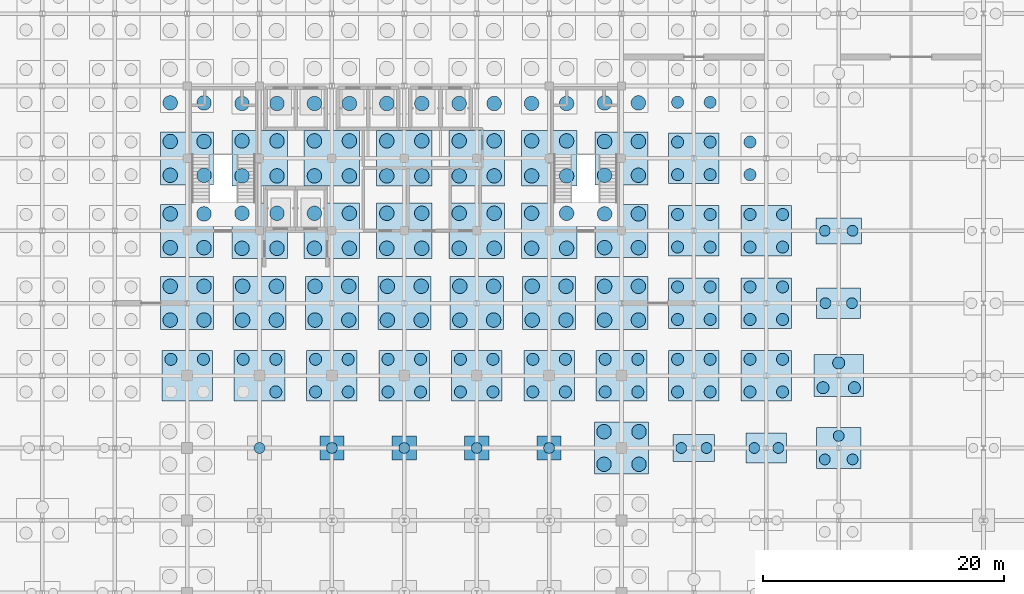
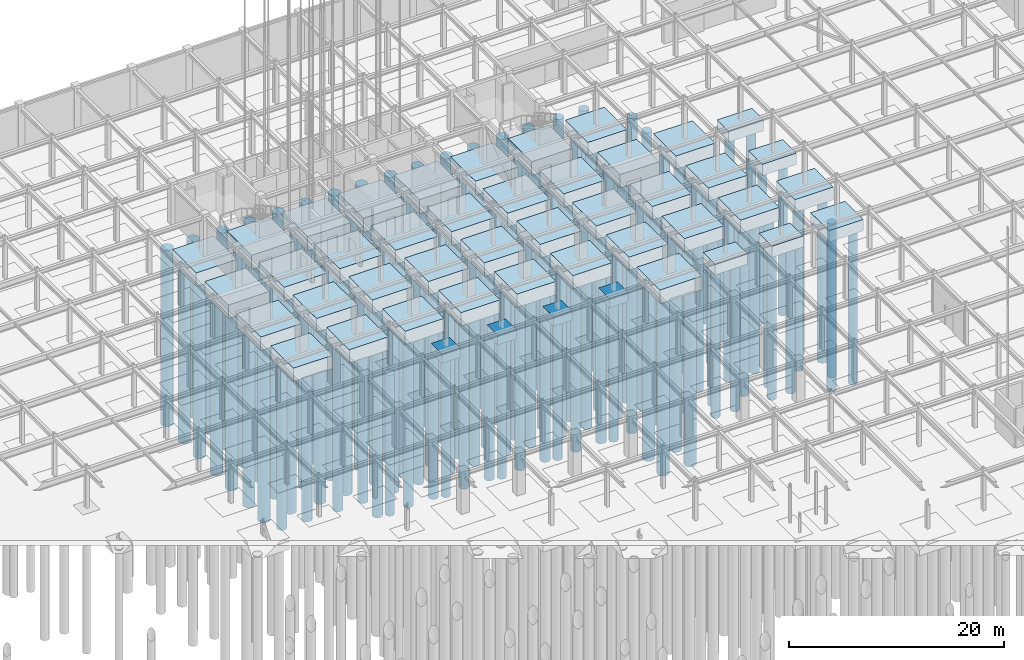
# One storey, part 7 of 69: 178 piles, 46 footings.
"""IFC4 building model written with IfcOpenShell, lengths in metres."""

from ifc_helpers import new_model, si_unit, direction, frame, origin, origin_2d, place, context, subcontext, project, spatial, rectangle, circle, extrude, material, material_profile, profile_set, type_object, element, save


model = new_model("IFC4")

# Units and contexts
model_context = context("Model", 3, precision=1e-05, world=origin(), true_north=direction((0.0, 1.0)))
body_context = subcontext(model_context, "Body", "Model", "MODEL_VIEW")
ifc_project = project(units=[si_unit("LENGTHUNIT", "METRE"), si_unit("AREAUNIT", "SQUARE_METRE"), si_unit("VOLUMEUNIT", "CUBIC_METRE"), si_unit("PLANEANGLEUNIT", "RADIAN"), si_unit("MASSUNIT", "GRAM", prefix="KILO")], contexts=[model_context])

# Site, building, storey
site_placement = place(None, origin())
site = spatial("IfcSite", under=ifc_project, at=site_placement, CompositionType="ELEMENT")
building_placement = place(site_placement, origin())
building = spatial("IfcBuilding", under=site, at=building_placement, Name="Zlatovratsky Civic Hall", CompositionType="ELEMENT")
storey_placement = place(building_placement, frame((0.0, 0.0, -4.800048828125)))
storey = spatial("IfcBuildingStorey", under=building, at=storey_placement, Name="B1", CompositionType="ELEMENT", Elevation=-4.800048828125)

# Footings
ifc_material = material(Name="Concrete C25/30 (B30)", Category="concrete")
footing_type_1 = type_object("IfcFootingType", Name="Footing_Cap1_ChamberUnder_2000x2000x1050", PredefinedType="PILE_CAP", material=ifc_material)
for number, where, z_axis, x_axis, name in (
    (1, (78.0, 66.0, -1.0498046875), (0.0, 0.0, 1.0), (1.0, 0.0, 0.0), "FD-218"),
    (2, (84.0, 66.0, -1.0498046875), (0.0, 0.0, 1.0), (1.0, 0.0, 0.0), "FD-219"),
    (3, (90.0, 66.0, -1.0498046875), (0.0, 0.0, 1.0), (1.0, 0.0, 0.0), "FD-220"),
    (4, (96.0, 66.0, -1.0498046875), (0.0, 0.0, 1.0), (1.0, 0.0, 0.0), "FD-221"),
):
    element("IfcFooting", number, at=place(storey_placement, frame(where, z_axis=z_axis, x_axis=x_axis)), inside=storey, type_object=footing_type_1, Name=name, PredefinedType="PILE_CAP", context=body_context, shape_type="SweptSolid", body=[
        extrude(rectangle(XDim=2.0, YDim=2.0, at=origin_2d()), origin(), (0.0, 0.0, 1.0), 1.050048828125),
    ])
footing_type_2 = type_object("IfcFootingType", Name="Footing_Cap2_LibraryE_3650x2550x1300", PredefinedType="PILE_CAP", material=ifc_material)
footing_1_placement = place(storey_placement, frame((120.0, 78.0, -1.2998046875), z_axis=(0.0, 0.0, 1.0), x_axis=(1.0, 0.0, 0.0)))
element("IfcFooting", 5, at=footing_1_placement, inside=storey, type_object=footing_type_2, Name="FD-271", PredefinedType="PILE_CAP", context=body_context, shape_type="SweptSolid", body=[
    extrude(rectangle(XDim=3.64990234375, YDim=2.550048828125, at=origin_2d()), origin(), (0.0, 0.0, 1.0), 1.300048828125),
])
footing_type_3 = type_object("IfcFootingType", Name="Footing_Cap2_PlantB1_3350x2450x1250", PredefinedType="PILE_CAP", material=ifc_material)
footing_2_placement = place(storey_placement, frame((114.0, 66.0, -1.25), z_axis=(0.0, 0.0, 1.0), x_axis=(1.0, 0.0, 0.0)))
element("IfcFooting", 6, at=footing_2_placement, inside=storey, type_object=footing_type_3, Name="FD-224", PredefinedType="PILE_CAP", context=body_context, shape_type="SweptSolid", body=[
    extrude(rectangle(XDim=3.35009765625, YDim=2.449951171875, at=origin_2d()), origin(), (0.0, 0.0, 1.0), 1.25),
])
footing_type_4 = type_object("IfcFootingType", Name="Footing_Cap2_ReceptionW_3450x2250x1200", PredefinedType="PILE_CAP", material=ifc_material)
footing_3_placement = place(storey_placement, frame((108.0, 66.0, -1.19970703125), z_axis=(0.0, 0.0, 1.0), x_axis=(1.0, 0.0, 0.0)))
element("IfcFooting", 7, at=footing_3_placement, inside=storey, type_object=footing_type_4, Name="FD-223", PredefinedType="PILE_CAP", context=body_context, shape_type="SweptSolid", body=[
    extrude(rectangle(XDim=3.449951171875, YDim=2.25, at=origin_2d()), origin(), (0.0, 0.0, 1.0), 1.199951171875),
])
footing_type_5 = type_object("IfcFootingType", Name="Footing_Cap2_ServiceE_3750x2150x1250", PredefinedType="PILE_CAP", material=ifc_material)
footing_4_placement = place(storey_placement, frame((120.0, 84.0, -1.25), z_axis=(0.0, 0.0, 1.0), x_axis=(1.0, 0.0, 0.0)))
element("IfcFooting", 8, at=footing_4_placement, inside=storey, type_object=footing_type_5, Name="FD-294", PredefinedType="PILE_CAP", context=body_context, shape_type="SweptSolid", body=[
    extrude(rectangle(XDim=3.75, YDim=2.14990234375, at=origin_2d()), origin(), (0.0, 0.0, 1.0), 1.25),
])
footing_type_6 = type_object("IfcFootingType", Name="Footing_Cap3_CourtEdge_3700x3400x1300", PredefinedType="PILE_CAP", material=ifc_material)
footing_5_placement = place(storey_placement, frame((120.0, 66.0, -1.2998046875), z_axis=(0.0, 0.0, 1.0), x_axis=(1.0, 0.0, 0.0)))
element("IfcFooting", 9, at=footing_5_placement, inside=storey, type_object=footing_type_6, Name="FD-225", PredefinedType="PILE_CAP", context=body_context, shape_type="SweptSolid", body=[
    extrude(rectangle(XDim=3.699951171875, YDim=3.39990234375, at=origin_2d()), origin(), (0.0, 0.0, 1.0), 1.300048828125),
])
footing_type_7 = type_object("IfcFootingType", Name="Footing_Cap3_TowerFlank_4100x3500x1450", PredefinedType="PILE_CAP", material=ifc_material)
footing_6_placement = place(storey_placement, frame((120.0, 72.0, -1.44970703125), z_axis=(0.0, 0.0, 1.0), x_axis=(1.0, 0.0, 0.0)))
element("IfcFooting", 10, at=footing_6_placement, inside=storey, type_object=footing_type_7, Name="FD-248", PredefinedType="PILE_CAP", context=body_context, shape_type="SweptSolid", body=[
    extrude(rectangle(XDim=4.10009765625, YDim=3.5, at=origin_2d()), origin(), (0.0, 0.0, 1.0), 1.449951171875),
])
footing_type_8 = type_object("IfcFootingType", Name="Footing_Cap4_ChamberDrum_4500x4300x1550", PredefinedType="PILE_CAP", material=ifc_material)
footing_7_placement = place(storey_placement, frame((102.0, 66.0, -1.5498046875), z_axis=(0.0, 0.0, 1.0), x_axis=(1.0, 0.0, 0.0)))
element("IfcFooting", 11, at=footing_7_placement, inside=storey, type_object=footing_type_8, Name="FD-222", PredefinedType="PILE_CAP", context=body_context, shape_type="SweptSolid", body=[
    extrude(rectangle(XDim=4.5, YDim=4.300048828125, at=origin_2d()), origin(), (0.0, 0.0, 1.0), 1.550048828125),
])
footing_type_9 = type_object("IfcFootingType", Name="Footing_Cap4_TowerCore_4600x4600x1600", PredefinedType="PILE_CAP", material=ifc_material)
for number, where, z_axis, x_axis, name in (
    (12, (72.0, 84.0, -1.60009765625), (0.0, 0.0, 1.0), (1.0, 0.0, 0.0), "FD-286"),
    (13, (78.0, 84.0, -1.60009765625), (0.0, 0.0, 1.0), (1.0, 0.0, 0.0), "FD-287"),
    (14, (84.0, 84.0, -1.60009765625), (0.0, 0.0, 1.0), (1.0, 0.0, 0.0), "FD-288"),
    (15, (90.0, 84.0, -1.60009765625), (0.0, 0.0, 1.0), (1.0, 0.0, 0.0), "FD-289"),
    (16, (96.0, 84.0, -1.60009765625), (0.0, 0.0, 1.0), (1.0, 0.0, 0.0), "FD-290"),
    (17, (72.0, 90.0, -1.60009765625), (0.0, 0.0, 1.0), (1.0, 0.0, 0.0), "FD-309"),
    (18, (78.0, 90.0, -1.60009765625), (0.0, 0.0, 1.0), (1.0, 0.0, 0.0), "FD-310"),
    (19, (84.0, 90.0, -1.60009765625), (0.0, 0.0, 1.0), (1.0, 0.0, 0.0), "FD-311"),
    (20, (90.0, 90.0, -1.60009765625), (0.0, 0.0, 1.0), (1.0, 0.0, 0.0), "FD-312"),
    (21, (96.0, 90.0, -1.60009765625), (0.0, 0.0, 1.0), (1.0, 0.0, 0.0), "FD-313"),
):
    element("IfcFooting", number, at=place(storey_placement, frame(where, z_axis=z_axis, x_axis=x_axis)), inside=storey, type_object=footing_type_9, Name=name, PredefinedType="PILE_CAP", context=body_context, shape_type="SweptSolid", body=[
        extrude(rectangle(XDim=4.60009765625, YDim=4.60009765625, at=origin_2d()), origin(), (0.0, 0.0, 1.0), 1.60009765625),
    ])
footing_type_10 = type_object("IfcFootingType", Name="Footing_Cap4_TowerHeavy_4400x4400x1550", PredefinedType="PILE_CAP", material=ifc_material)
for number, where, z_axis, x_axis, name in (
    (22, (66.0, 78.0, -1.5498046875), (0.0, 0.0, 1.0), (1.0, 0.0, 0.0), "FD-262"),
    (23, (72.0, 78.0, -1.5498046875), (0.0, 0.0, 1.0), (1.0, 0.0, 0.0), "FD-263"),
    (24, (78.0, 78.0, -1.5498046875), (0.0, 0.0, 1.0), (1.0, 0.0, 0.0), "FD-264"),
    (25, (84.0, 78.0, -1.5498046875), (0.0, 0.0, 1.0), (1.0, 0.0, 0.0), "FD-265"),
    (26, (90.0, 78.0, -1.5498046875), (0.0, 0.0, 1.0), (1.0, 0.0, 0.0), "FD-266"),
    (27, (96.0, 78.0, -1.5498046875), (0.0, 0.0, 1.0), (1.0, 0.0, 0.0), "FD-267"),
    (28, (102.0, 78.0, -1.5498046875), (0.0, 0.0, 1.0), (1.0, 0.0, 0.0), "FD-268"),
    (29, (66.0, 84.0, -1.5498046875), (0.0, 0.0, 1.0), (1.0, 0.0, 0.0), "FD-285"),
    (30, (102.0, 84.0, -1.5498046875), (0.0, 0.0, 1.0), (1.0, 0.0, 0.0), "FD-291"),
    (31, (66.0, 90.0, -1.5498046875), (0.0, 0.0, 1.0), (1.0, 0.0, 0.0), "FD-308"),
    (32, (102.0, 90.0, -1.5498046875), (0.0, 0.0, 1.0), (1.0, 0.0, 0.0), "FD-314"),
):
    element("IfcFooting", number, at=place(storey_placement, frame(where, z_axis=z_axis, x_axis=x_axis)), inside=storey, type_object=footing_type_10, Name=name, PredefinedType="PILE_CAP", context=body_context, shape_type="SweptSolid", body=[
        extrude(rectangle(XDim=4.39990234375, YDim=4.39990234375, at=origin_2d()), origin(), (0.0, 0.0, 1.0), 1.550048828125),
    ])
footing_type_11 = type_object("IfcFootingType", Name="Footing_Cap4_TowerMid_4200x4200x1500", PredefinedType="PILE_CAP", material=ifc_material)
for number, where, z_axis, x_axis, name in (
    (33, (66.0, 72.0, -1.5), (0.0, 0.0, 1.0), (1.0, 0.0, 0.0), "FD-239"),
    (34, (72.0, 72.0, -1.5), (0.0, 0.0, 1.0), (1.0, 0.0, 0.0), "FD-240"),
    (35, (78.0, 72.0, -1.5), (0.0, 0.0, 1.0), (1.0, 0.0, 0.0), "FD-241"),
    (36, (84.0, 72.0, -1.5), (0.0, 0.0, 1.0), (1.0, 0.0, 0.0), "FD-242"),
    (37, (90.0, 72.0, -1.5), (0.0, 0.0, 1.0), (1.0, 0.0, 0.0), "FD-243"),
    (38, (96.0, 72.0, -1.5), (0.0, 0.0, 1.0), (1.0, 0.0, 0.0), "FD-244"),
    (39, (102.0, 72.0, -1.5), (0.0, 0.0, 1.0), (1.0, 0.0, 0.0), "FD-245"),
    (40, (108.0, 72.0, -1.5), (0.0, 0.0, 1.0), (1.0, 0.0, 0.0), "FD-246"),
    (41, (114.0, 72.0, -1.5), (0.0, 0.0, 1.0), (1.0, 0.0, 0.0), "FD-247"),
    (42, (108.0, 78.0, -1.5), (0.0, 0.0, 1.0), (1.0, 0.0, 0.0), "FD-269"),
    (43, (114.0, 78.0, -1.5), (0.0, 0.0, 1.0), (1.0, 0.0, 0.0), "FD-270"),
    (44, (108.0, 84.0, -1.5), (0.0, 0.0, 1.0), (1.0, 0.0, 0.0), "FD-292"),
    (45, (114.0, 84.0, -1.5), (0.0, 0.0, 1.0), (1.0, 0.0, 0.0), "FD-293"),
    (46, (108.0, 90.0, -1.5), (0.0, 0.0, 1.0), (1.0, 0.0, 0.0), "FD-315"),
):
    element("IfcFooting", number, at=place(storey_placement, frame(where, z_axis=z_axis, x_axis=x_axis)), inside=storey, type_object=footing_type_11, Name=name, PredefinedType="PILE_CAP", context=body_context, shape_type="SweptSolid", body=[
        extrude(rectangle(XDim=4.199951171875, YDim=4.199951171875, at=origin_2d()), origin(), (0.0, 0.0, 1.0), 1.5),
    ])

# Piles
ifc_material_profile_1 = material_profile(ifc_material, circle(Radius=0.5, at=origin_2d()), Name="PILE D1000")
ifc_profile_set_1 = profile_set([ifc_material_profile_1], Name="Concrete C25/30 (B30)")
pile_type_1 = type_object("IfcPileType", Name="Pile_Bored_D1000", PredefinedType="BORED", material=ifc_profile_set_1)
for number, where, z_axis, x_axis, name in (
    (47, (64.64990234375, 73.35009765625, -1.39990234375), (0.0, 0.0, -1.0), (1.0, 0.0, 0.0), "PL-0590"),
    (48, (67.35009765625, 73.35009765625, -1.39990234375), (0.0, 0.0, -1.0), (1.0, 0.0, 0.0), "PL-0591"),
    (49, (73.35009765625, 70.64990234375, -1.39990234375), (0.0, 0.0, -1.0), (1.0, 0.0, 0.0), "PL-0593"),
    (50, (70.64990234375, 73.35009765625, -1.39990234375), (0.0, 0.0, -1.0), (1.0, 0.0, 0.0), "PL-0594"),
    (51, (73.35009765625, 73.35009765625, -1.39990234375), (0.0, 0.0, -1.0), (1.0, 0.0, 0.0), "PL-0595"),
    (52, (76.64990234375, 70.64990234375, -1.39990234375), (0.0, 0.0, -1.0), (1.0, 0.0, 0.0), "PL-0596"),
    (53, (79.35009765625, 70.64990234375, -1.39990234375), (0.0, 0.0, -1.0), (1.0, 0.0, 0.0), "PL-0597"),
    (54, (76.64990234375, 73.35009765625, -1.39990234375), (0.0, 0.0, -1.0), (1.0, 0.0, 0.0), "PL-0598"),
    (55, (79.35009765625, 73.35009765625, -1.39990234375), (0.0, 0.0, -1.0), (1.0, 0.0, 0.0), "PL-0599"),
    (56, (82.64990234375, 70.64990234375, -1.39990234375), (0.0, 0.0, -1.0), (1.0, 0.0, 0.0), "PL-0600"),
    (57, (85.35009765625, 70.64990234375, -1.39990234375), (0.0, 0.0, -1.0), (1.0, 0.0, 0.0), "PL-0601"),
    (58, (82.64990234375, 73.35009765625, -1.39990234375), (0.0, 0.0, -1.0), (1.0, 0.0, 0.0), "PL-0602"),
    (59, (85.35009765625, 73.35009765625, -1.39990234375), (0.0, 0.0, -1.0), (1.0, 0.0, 0.0), "PL-0603"),
    (60, (88.64990234375, 70.64990234375, -1.39990234375), (0.0, 0.0, -1.0), (1.0, 0.0, 0.0), "PL-0604"),
    (61, (91.35009765625, 70.64990234375, -1.39990234375), (0.0, 0.0, -1.0), (1.0, 0.0, 0.0), "PL-0605"),
    (62, (88.64990234375, 73.35009765625, -1.39990234375), (0.0, 0.0, -1.0), (1.0, 0.0, 0.0), "PL-0606"),
    (63, (91.35009765625, 73.35009765625, -1.39990234375), (0.0, 0.0, -1.0), (1.0, 0.0, 0.0), "PL-0607"),
    (64, (94.64990234375, 70.64990234375, -1.39990234375), (0.0, 0.0, -1.0), (1.0, 0.0, 0.0), "PL-0608"),
    (65, (97.35009765625, 70.64990234375, -1.39990234375), (0.0, 0.0, -1.0), (1.0, 0.0, 0.0), "PL-0609"),
    (66, (94.64990234375, 73.35009765625, -1.39990234375), (0.0, 0.0, -1.0), (1.0, 0.0, 0.0), "PL-0610"),
    (67, (97.35009765625, 73.35009765625, -1.39990234375), (0.0, 0.0, -1.0), (1.0, 0.0, 0.0), "PL-0611"),
    (68, (100.64990234375, 70.64990234375, -1.39990234375), (0.0, 0.0, -1.0), (1.0, 0.0, 0.0), "PL-0612"),
    (69, (103.35009765625, 70.64990234375, -1.39990234375), (0.0, 0.0, -1.0), (1.0, 0.0, 0.0), "PL-0613"),
    (70, (100.64990234375, 73.35009765625, -1.39990234375), (0.0, 0.0, -1.0), (1.0, 0.0, 0.0), "PL-0614"),
    (71, (103.35009765625, 73.35009765625, -1.39990234375), (0.0, 0.0, -1.0), (1.0, 0.0, 0.0), "PL-0615"),
    (72, (106.64990234375, 70.64990234375, -1.39990234375), (0.0, 0.0, -1.0), (1.0, 0.0, 0.0), "PL-0616"),
    (73, (109.35009765625, 70.64990234375, -1.39990234375), (0.0, 0.0, -1.0), (1.0, 0.0, 0.0), "PL-0617"),
    (74, (106.64990234375, 73.35009765625, -1.39990234375), (0.0, 0.0, -1.0), (1.0, 0.0, 0.0), "PL-0618"),
    (75, (109.35009765625, 73.35009765625, -1.39990234375), (0.0, 0.0, -1.0), (1.0, 0.0, 0.0), "PL-0619"),
    (76, (112.64990234375, 70.64990234375, -1.39990234375), (0.0, 0.0, -1.0), (1.0, 0.0, 0.0), "PL-0620"),
    (77, (115.35009765625, 70.64990234375, -1.39990234375), (0.0, 0.0, -1.0), (1.0, 0.0, 0.0), "PL-0621"),
    (78, (112.64990234375, 73.35009765625, -1.39990234375), (0.0, 0.0, -1.0), (1.0, 0.0, 0.0), "PL-0622"),
    (79, (115.35009765625, 73.35009765625, -1.39990234375), (0.0, 0.0, -1.0), (1.0, 0.0, 0.0), "PL-0623"),
):
    element("IfcPile", number, at=place(storey_placement, frame(where, z_axis=z_axis, x_axis=x_axis)), inside=storey, type_object=pile_type_1, Name=name, PredefinedType="BORED", context=body_context, shape_type="SweptSolid", body=[
        extrude(circle(Radius=0.5, at=origin_2d()), origin(), (0.0, 0.0, 1.0), 19.0),
    ])
for number, where, z_axis, x_axis, name in (
    (80, (118.699951171875, 71.0, -1.349853515625), (0.0, 0.0, -1.0), (1.0, 0.0, 0.0), "PL-0624"),
    (81, (121.300048828125, 71.0, -1.349853515625), (0.0, 0.0, -1.0), (1.0, 0.0, 0.0), "PL-0625"),
    (82, (120.0, 73.050048828125, -1.349853515625), (0.0, 0.0, -1.0), (1.0, 0.0, 0.0), "PL-0626"),
):
    element("IfcPile", number, at=place(storey_placement, frame(where, z_axis=z_axis, x_axis=x_axis)), inside=storey, type_object=pile_type_1, Name=name, PredefinedType="BORED", context=body_context, shape_type="SweptSolid", body=[
        extrude(circle(Radius=0.5, at=origin_2d()), origin(), (0.0, 0.0, 1.0), 18.5),
    ])
for number, where, z_axis, x_axis, name in (
    (83, (106.64990234375, 76.64990234375, -1.39990234375), (0.0, 0.0, -1.0), (1.0, 0.0, 0.0), "PL-0686"),
    (84, (109.35009765625, 76.64990234375, -1.39990234375), (0.0, 0.0, -1.0), (1.0, 0.0, 0.0), "PL-0687"),
    (85, (106.64990234375, 79.35009765625, -1.39990234375), (0.0, 0.0, -1.0), (1.0, 0.0, 0.0), "PL-0688"),
    (86, (109.35009765625, 79.35009765625, -1.39990234375), (0.0, 0.0, -1.0), (1.0, 0.0, 0.0), "PL-0689"),
    (87, (112.64990234375, 76.64990234375, -1.39990234375), (0.0, 0.0, -1.0), (1.0, 0.0, 0.0), "PL-0690"),
    (88, (115.35009765625, 76.64990234375, -1.39990234375), (0.0, 0.0, -1.0), (1.0, 0.0, 0.0), "PL-0691"),
    (89, (112.64990234375, 79.35009765625, -1.39990234375), (0.0, 0.0, -1.0), (1.0, 0.0, 0.0), "PL-0692"),
    (90, (115.35009765625, 79.35009765625, -1.39990234375), (0.0, 0.0, -1.0), (1.0, 0.0, 0.0), "PL-0693"),
    (91, (106.64990234375, 82.64990234375, -1.39990234375), (0.0, 0.0, -1.0), (1.0, 0.0, 0.0), "PL-0758"),
    (92, (109.35009765625, 82.64990234375, -1.39990234375), (0.0, 0.0, -1.0), (1.0, 0.0, 0.0), "PL-0759"),
    (93, (106.64990234375, 85.35009765625, -1.39990234375), (0.0, 0.0, -1.0), (1.0, 0.0, 0.0), "PL-0760"),
    (94, (109.35009765625, 85.35009765625, -1.39990234375), (0.0, 0.0, -1.0), (1.0, 0.0, 0.0), "PL-0761"),
    (95, (112.64990234375, 82.64990234375, -1.39990234375), (0.0, 0.0, -1.0), (1.0, 0.0, 0.0), "PL-0762"),
    (96, (115.35009765625, 82.64990234375, -1.39990234375), (0.0, 0.0, -1.0), (1.0, 0.0, 0.0), "PL-0763"),
    (97, (112.64990234375, 85.35009765625, -1.39990234375), (0.0, 0.0, -1.0), (1.0, 0.0, 0.0), "PL-0764"),
    (98, (115.35009765625, 85.35009765625, -1.39990234375), (0.0, 0.0, -1.0), (1.0, 0.0, 0.0), "PL-0765"),
    (99, (106.64990234375, 88.64990234375, -1.39990234375), (0.0, 0.0, -1.0), (1.0, 0.0, 0.0), "PL-0834"),
    (100, (109.35009765625, 88.64990234375, -1.39990234375), (0.0, 0.0, -1.0), (1.0, 0.0, 0.0), "PL-0835"),
    (101, (106.64990234375, 91.35009765625, -1.39990234375), (0.0, 0.0, -1.0), (1.0, 0.0, 0.0), "PL-0836"),
    (102, (109.35009765625, 91.35009765625, -1.39990234375), (0.0, 0.0, -1.0), (1.0, 0.0, 0.0), "PL-0837"),
    (103, (112.64990234375, 88.64990234375, -1.39990234375), (0.0, 0.0, -1.0), (1.0, 0.0, 0.0), "PL-0838"),
    (104, (112.64990234375, 91.35009765625, -1.39990234375), (0.0, 0.0, -1.0), (1.0, 0.0, 0.0), "PL-0840"),
    (105, (106.64990234375, 94.64990234375, -1.39990234375), (0.0, 0.0, -1.0), (1.0, 0.0, 0.0), "PL-0912"),
    (106, (109.35009765625, 94.64990234375, -1.39990234375), (0.0, 0.0, -1.0), (1.0, 0.0, 0.0), "PL-0913"),
):
    element("IfcPile", number, at=place(storey_placement, frame(where, z_axis=z_axis, x_axis=x_axis)), inside=storey, type_object=pile_type_1, Name=name, PredefinedType="BORED", context=body_context, shape_type="SweptSolid", body=[
        extrude(circle(Radius=0.5, at=origin_2d()), origin(), (0.0, 0.0, 1.0), 19.0),
    ])
ifc_material_profile_2 = material_profile(ifc_material, circle(Radius=0.60009765625, at=origin_2d()), Name="PILE D1200")
ifc_profile_set_2 = profile_set([ifc_material_profile_2], Name="Concrete C25/30 (B30)")
pile_type_2 = type_object("IfcPileType", Name="Pile_Bored_D1200", PredefinedType="BORED", material=ifc_profile_set_2)
for number, where, z_axis, x_axis, name in (
    (107, (100.550048828125, 64.64990234375, -1.449951171875), (0.0, 0.0, -1.0), (1.0, 0.0, 0.0), "PL-0543"),
    (108, (103.449951171875, 64.64990234375, -1.449951171875), (0.0, 0.0, -1.0), (1.0, 0.0, 0.0), "PL-0544"),
    (109, (100.550048828125, 67.35009765625, -1.449951171875), (0.0, 0.0, -1.0), (1.0, 0.0, 0.0), "PL-0545"),
    (110, (103.449951171875, 67.35009765625, -1.449951171875), (0.0, 0.0, -1.0), (1.0, 0.0, 0.0), "PL-0546"),
    (111, (64.60009765625, 76.60009765625, -1.449951171875), (0.0, 0.0, -1.0), (1.0, 0.0, 0.0), "PL-0658"),
    (112, (67.39990234375, 76.60009765625, -1.449951171875), (0.0, 0.0, -1.0), (1.0, 0.0, 0.0), "PL-0659"),
    (113, (64.60009765625, 79.39990234375, -1.449951171875), (0.0, 0.0, -1.0), (1.0, 0.0, 0.0), "PL-0660"),
    (114, (67.39990234375, 79.39990234375, -1.449951171875), (0.0, 0.0, -1.0), (1.0, 0.0, 0.0), "PL-0661"),
    (115, (70.60009765625, 76.60009765625, -1.449951171875), (0.0, 0.0, -1.0), (1.0, 0.0, 0.0), "PL-0662"),
    (116, (73.39990234375, 76.60009765625, -1.449951171875), (0.0, 0.0, -1.0), (1.0, 0.0, 0.0), "PL-0663"),
    (117, (70.60009765625, 79.39990234375, -1.449951171875), (0.0, 0.0, -1.0), (1.0, 0.0, 0.0), "PL-0664"),
    (118, (73.39990234375, 79.39990234375, -1.449951171875), (0.0, 0.0, -1.0), (1.0, 0.0, 0.0), "PL-0665"),
    (119, (76.60009765625, 76.60009765625, -1.449951171875), (0.0, 0.0, -1.0), (1.0, 0.0, 0.0), "PL-0666"),
    (120, (79.39990234375, 76.60009765625, -1.449951171875), (0.0, 0.0, -1.0), (1.0, 0.0, 0.0), "PL-0667"),
    (121, (76.60009765625, 79.39990234375, -1.449951171875), (0.0, 0.0, -1.0), (1.0, 0.0, 0.0), "PL-0668"),
    (122, (79.39990234375, 79.39990234375, -1.449951171875), (0.0, 0.0, -1.0), (1.0, 0.0, 0.0), "PL-0669"),
    (123, (82.60009765625, 76.60009765625, -1.449951171875), (0.0, 0.0, -1.0), (1.0, 0.0, 0.0), "PL-0670"),
    (124, (85.39990234375, 76.60009765625, -1.449951171875), (0.0, 0.0, -1.0), (1.0, 0.0, 0.0), "PL-0671"),
    (125, (82.60009765625, 79.39990234375, -1.449951171875), (0.0, 0.0, -1.0), (1.0, 0.0, 0.0), "PL-0672"),
    (126, (85.39990234375, 79.39990234375, -1.449951171875), (0.0, 0.0, -1.0), (1.0, 0.0, 0.0), "PL-0673"),
    (127, (88.60009765625, 76.60009765625, -1.449951171875), (0.0, 0.0, -1.0), (1.0, 0.0, 0.0), "PL-0674"),
    (128, (91.39990234375, 76.60009765625, -1.449951171875), (0.0, 0.0, -1.0), (1.0, 0.0, 0.0), "PL-0675"),
    (129, (88.60009765625, 79.39990234375, -1.449951171875), (0.0, 0.0, -1.0), (1.0, 0.0, 0.0), "PL-0676"),
    (130, (91.39990234375, 79.39990234375, -1.449951171875), (0.0, 0.0, -1.0), (1.0, 0.0, 0.0), "PL-0677"),
    (131, (94.60009765625, 76.60009765625, -1.449951171875), (0.0, 0.0, -1.0), (1.0, 0.0, 0.0), "PL-0678"),
    (132, (97.39990234375, 76.60009765625, -1.449951171875), (0.0, 0.0, -1.0), (1.0, 0.0, 0.0), "PL-0679"),
    (133, (94.60009765625, 79.39990234375, -1.449951171875), (0.0, 0.0, -1.0), (1.0, 0.0, 0.0), "PL-0680"),
    (134, (97.39990234375, 79.39990234375, -1.449951171875), (0.0, 0.0, -1.0), (1.0, 0.0, 0.0), "PL-0681"),
    (135, (100.60009765625, 76.60009765625, -1.449951171875), (0.0, 0.0, -1.0), (1.0, 0.0, 0.0), "PL-0682"),
    (136, (103.39990234375, 76.60009765625, -1.449951171875), (0.0, 0.0, -1.0), (1.0, 0.0, 0.0), "PL-0683"),
    (137, (100.60009765625, 79.39990234375, -1.449951171875), (0.0, 0.0, -1.0), (1.0, 0.0, 0.0), "PL-0684"),
    (138, (103.39990234375, 79.39990234375, -1.449951171875), (0.0, 0.0, -1.0), (1.0, 0.0, 0.0), "PL-0685"),
    (139, (64.60009765625, 82.60009765625, -1.449951171875), (0.0, 0.0, -1.0), (1.0, 0.0, 0.0), "PL-0730"),
    (140, (67.39990234375, 82.60009765625, -1.449951171875), (0.0, 0.0, -1.0), (1.0, 0.0, 0.0), "PL-0731"),
    (141, (64.60009765625, 85.39990234375, -1.449951171875), (0.0, 0.0, -1.0), (1.0, 0.0, 0.0), "PL-0732"),
    (142, (67.39990234375, 85.39990234375, -1.449951171875), (0.0, 0.0, -1.0), (1.0, 0.0, 0.0), "PL-0733"),
    (143, (70.550048828125, 82.550048828125, -1.5), (0.0, 0.0, -1.0), (1.0, 0.0, 0.0), "PL-0734"),
    (144, (73.449951171875, 82.550048828125, -1.5), (0.0, 0.0, -1.0), (1.0, 0.0, 0.0), "PL-0735"),
    (145, (70.550048828125, 85.449951171875, -1.5), (0.0, 0.0, -1.0), (1.0, 0.0, 0.0), "PL-0736"),
    (146, (73.449951171875, 85.449951171875, -1.5), (0.0, 0.0, -1.0), (1.0, 0.0, 0.0), "PL-0737"),
    (147, (76.550048828125, 82.550048828125, -1.5), (0.0, 0.0, -1.0), (1.0, 0.0, 0.0), "PL-0738"),
    (148, (79.449951171875, 82.550048828125, -1.5), (0.0, 0.0, -1.0), (1.0, 0.0, 0.0), "PL-0739"),
    (149, (76.550048828125, 85.449951171875, -1.5), (0.0, 0.0, -1.0), (1.0, 0.0, 0.0), "PL-0740"),
    (150, (79.449951171875, 85.449951171875, -1.5), (0.0, 0.0, -1.0), (1.0, 0.0, 0.0), "PL-0741"),
    (151, (82.550048828125, 82.550048828125, -1.5), (0.0, 0.0, -1.0), (1.0, 0.0, 0.0), "PL-0742"),
    (152, (85.449951171875, 82.550048828125, -1.5), (0.0, 0.0, -1.0), (1.0, 0.0, 0.0), "PL-0743"),
    (153, (82.550048828125, 85.449951171875, -1.5), (0.0, 0.0, -1.0), (1.0, 0.0, 0.0), "PL-0744"),
    (154, (85.449951171875, 85.449951171875, -1.5), (0.0, 0.0, -1.0), (1.0, 0.0, 0.0), "PL-0745"),
    (155, (88.550048828125, 82.550048828125, -1.5), (0.0, 0.0, -1.0), (1.0, 0.0, 0.0), "PL-0746"),
    (156, (91.449951171875, 82.550048828125, -1.5), (0.0, 0.0, -1.0), (1.0, 0.0, 0.0), "PL-0747"),
    (157, (88.550048828125, 85.449951171875, -1.5), (0.0, 0.0, -1.0), (1.0, 0.0, 0.0), "PL-0748"),
    (158, (91.449951171875, 85.449951171875, -1.5), (0.0, 0.0, -1.0), (1.0, 0.0, 0.0), "PL-0749"),
    (159, (94.550048828125, 82.550048828125, -1.5), (0.0, 0.0, -1.0), (1.0, 0.0, 0.0), "PL-0750"),
    (160, (97.449951171875, 82.550048828125, -1.5), (0.0, 0.0, -1.0), (1.0, 0.0, 0.0), "PL-0751"),
    (161, (94.550048828125, 85.449951171875, -1.5), (0.0, 0.0, -1.0), (1.0, 0.0, 0.0), "PL-0752"),
    (162, (97.449951171875, 85.449951171875, -1.5), (0.0, 0.0, -1.0), (1.0, 0.0, 0.0), "PL-0753"),
    (163, (100.60009765625, 82.60009765625, -1.449951171875), (0.0, 0.0, -1.0), (1.0, 0.0, 0.0), "PL-0754"),
    (164, (103.39990234375, 82.60009765625, -1.449951171875), (0.0, 0.0, -1.0), (1.0, 0.0, 0.0), "PL-0755"),
    (165, (100.60009765625, 85.39990234375, -1.449951171875), (0.0, 0.0, -1.0), (1.0, 0.0, 0.0), "PL-0756"),
    (166, (103.39990234375, 85.39990234375, -1.449951171875), (0.0, 0.0, -1.0), (1.0, 0.0, 0.0), "PL-0757"),
    (167, (64.60009765625, 88.60009765625, -1.449951171875), (0.0, 0.0, -1.0), (1.0, 0.0, 0.0), "PL-0806"),
    (168, (67.39990234375, 88.60009765625, -1.449951171875), (0.0, 0.0, -1.0), (1.0, 0.0, 0.0), "PL-0807"),
    (169, (64.60009765625, 91.39990234375, -1.449951171875), (0.0, 0.0, -1.0), (1.0, 0.0, 0.0), "PL-0808"),
    (170, (67.39990234375, 91.39990234375, -1.449951171875), (0.0, 0.0, -1.0), (1.0, 0.0, 0.0), "PL-0809"),
    (171, (70.550048828125, 88.550048828125, -1.5), (0.0, 0.0, -1.0), (1.0, 0.0, 0.0), "PL-0810"),
    (172, (73.449951171875, 88.550048828125, -1.5), (0.0, 0.0, -1.0), (1.0, 0.0, 0.0), "PL-0811"),
    (173, (70.550048828125, 91.449951171875, -1.5), (0.0, 0.0, -1.0), (1.0, 0.0, 0.0), "PL-0812"),
    (174, (73.449951171875, 91.449951171875, -1.5), (0.0, 0.0, -1.0), (1.0, 0.0, 0.0), "PL-0813"),
    (175, (76.550048828125, 88.550048828125, -1.5), (0.0, 0.0, -1.0), (1.0, 0.0, 0.0), "PL-0814"),
    (176, (79.449951171875, 88.550048828125, -1.5), (0.0, 0.0, -1.0), (1.0, 0.0, 0.0), "PL-0815"),
    (177, (76.550048828125, 91.449951171875, -1.5), (0.0, 0.0, -1.0), (1.0, 0.0, 0.0), "PL-0816"),
    (178, (79.449951171875, 91.449951171875, -1.5), (0.0, 0.0, -1.0), (1.0, 0.0, 0.0), "PL-0817"),
    (179, (82.550048828125, 88.550048828125, -1.5), (0.0, 0.0, -1.0), (1.0, 0.0, 0.0), "PL-0818"),
    (180, (85.449951171875, 88.550048828125, -1.5), (0.0, 0.0, -1.0), (1.0, 0.0, 0.0), "PL-0819"),
    (181, (82.550048828125, 91.449951171875, -1.5), (0.0, 0.0, -1.0), (1.0, 0.0, 0.0), "PL-0820"),
    (182, (85.449951171875, 91.449951171875, -1.5), (0.0, 0.0, -1.0), (1.0, 0.0, 0.0), "PL-0821"),
    (183, (88.550048828125, 88.550048828125, -1.5), (0.0, 0.0, -1.0), (1.0, 0.0, 0.0), "PL-0822"),
    (184, (91.449951171875, 88.550048828125, -1.5), (0.0, 0.0, -1.0), (1.0, 0.0, 0.0), "PL-0823"),
    (185, (88.550048828125, 91.449951171875, -1.5), (0.0, 0.0, -1.0), (1.0, 0.0, 0.0), "PL-0824"),
    (186, (91.449951171875, 91.449951171875, -1.5), (0.0, 0.0, -1.0), (1.0, 0.0, 0.0), "PL-0825"),
    (187, (94.550048828125, 88.550048828125, -1.5), (0.0, 0.0, -1.0), (1.0, 0.0, 0.0), "PL-0826"),
    (188, (97.449951171875, 88.550048828125, -1.5), (0.0, 0.0, -1.0), (1.0, 0.0, 0.0), "PL-0827"),
    (189, (94.550048828125, 91.449951171875, -1.5), (0.0, 0.0, -1.0), (1.0, 0.0, 0.0), "PL-0828"),
    (190, (97.449951171875, 91.449951171875, -1.5), (0.0, 0.0, -1.0), (1.0, 0.0, 0.0), "PL-0829"),
    (191, (100.60009765625, 88.60009765625, -1.449951171875), (0.0, 0.0, -1.0), (1.0, 0.0, 0.0), "PL-0830"),
    (192, (103.39990234375, 88.60009765625, -1.449951171875), (0.0, 0.0, -1.0), (1.0, 0.0, 0.0), "PL-0831"),
    (193, (100.60009765625, 91.39990234375, -1.449951171875), (0.0, 0.0, -1.0), (1.0, 0.0, 0.0), "PL-0832"),
    (194, (103.39990234375, 91.39990234375, -1.449951171875), (0.0, 0.0, -1.0), (1.0, 0.0, 0.0), "PL-0833"),
    (195, (64.60009765625, 94.60009765625, -1.449951171875), (0.0, 0.0, -1.0), (1.0, 0.0, 0.0), "PL-0884"),
    (196, (67.39990234375, 94.60009765625, -1.449951171875), (0.0, 0.0, -1.0), (1.0, 0.0, 0.0), "PL-0885"),
    (197, (70.550048828125, 94.550048828125, -1.5), (0.0, 0.0, -1.0), (1.0, 0.0, 0.0), "PL-0888"),
    (198, (73.449951171875, 94.550048828125, -1.5), (0.0, 0.0, -1.0), (1.0, 0.0, 0.0), "PL-0889"),
    (199, (76.550048828125, 94.550048828125, -1.5), (0.0, 0.0, -1.0), (1.0, 0.0, 0.0), "PL-0892"),
    (200, (79.449951171875, 94.550048828125, -1.5), (0.0, 0.0, -1.0), (1.0, 0.0, 0.0), "PL-0893"),
    (201, (82.550048828125, 94.550048828125, -1.5), (0.0, 0.0, -1.0), (1.0, 0.0, 0.0), "PL-0896"),
    (202, (85.449951171875, 94.550048828125, -1.5), (0.0, 0.0, -1.0), (1.0, 0.0, 0.0), "PL-0897"),
    (203, (88.550048828125, 94.550048828125, -1.5), (0.0, 0.0, -1.0), (1.0, 0.0, 0.0), "PL-0900"),
    (204, (91.449951171875, 94.550048828125, -1.5), (0.0, 0.0, -1.0), (1.0, 0.0, 0.0), "PL-0901"),
    (205, (94.550048828125, 94.550048828125, -1.5), (0.0, 0.0, -1.0), (1.0, 0.0, 0.0), "PL-0904"),
    (206, (97.449951171875, 94.550048828125, -1.5), (0.0, 0.0, -1.0), (1.0, 0.0, 0.0), "PL-0905"),
    (207, (100.60009765625, 94.60009765625, -1.449951171875), (0.0, 0.0, -1.0), (1.0, 0.0, 0.0), "PL-0908"),
    (208, (103.39990234375, 94.60009765625, -1.449951171875), (0.0, 0.0, -1.0), (1.0, 0.0, 0.0), "PL-0909"),
):
    element("IfcPile", number, at=place(storey_placement, frame(where, z_axis=z_axis, x_axis=x_axis)), inside=storey, type_object=pile_type_2, Name=name, PredefinedType="BORED", context=body_context, shape_type="SweptSolid", body=[
        extrude(circle(Radius=0.60009765625, at=origin_2d()), origin(), (0.0, 0.0, 1.0), 20.0),
    ])
ifc_material_profile_3 = material_profile(ifc_material, circle(Radius=0.449951171875, at=origin_2d()), Name="PILE D900")
ifc_profile_set_3 = profile_set([ifc_material_profile_3], Name="Concrete C25/30 (B30)")
pile_type_3 = type_object("IfcPileType", Name="Pile_Bored_D900", PredefinedType="BORED", material=ifc_profile_set_3)
for number, where, z_axis, x_axis, name in (
    (209, (72.0, 66.0, -0.949951171875), (0.0, 0.0, -1.0), (1.0, 0.0, 0.0), "PL-0538"),
    (210, (78.0, 66.0, -0.949951171875), (0.0, 0.0, -1.0), (1.0, 0.0, 0.0), "PL-0539"),
    (211, (84.0, 66.0, -0.949951171875), (0.0, 0.0, -1.0), (1.0, 0.0, 0.0), "PL-0540"),
    (212, (90.0, 66.0, -0.949951171875), (0.0, 0.0, -1.0), (1.0, 0.0, 0.0), "PL-0541"),
    (213, (96.0, 66.0, -0.949951171875), (0.0, 0.0, -1.0), (1.0, 0.0, 0.0), "PL-0542"),
):
    element("IfcPile", number, at=place(storey_placement, frame(where, z_axis=z_axis, x_axis=x_axis)), inside=storey, type_object=pile_type_3, Name=name, PredefinedType="BORED", context=body_context, shape_type="SweptSolid", body=[
        extrude(circle(Radius=0.449951171875, at=origin_2d()), origin(), (0.0, 0.0, 1.0), 16.0),
    ])
for number, where, z_axis, x_axis, name in (
    (214, (106.949951171875, 66.0, -1.099853515625), (0.0, 0.0, -1.0), (1.0, 0.0, 0.0), "PL-0547"),
    (215, (109.050048828125, 66.0, -1.099853515625), (0.0, 0.0, -1.0), (1.0, 0.0, 0.0), "PL-0548"),
    (216, (113.0, 66.0, -1.14990234375), (0.0, 0.0, -1.0), (1.0, 0.0, 0.0), "PL-0549"),
    (217, (115.0, 66.0, -1.14990234375), (0.0, 0.0, -1.0), (1.0, 0.0, 0.0), "PL-0550"),
):
    element("IfcPile", number, at=place(storey_placement, frame(where, z_axis=z_axis, x_axis=x_axis)), inside=storey, type_object=pile_type_3, Name=name, PredefinedType="BORED", context=body_context, shape_type="SweptSolid", body=[
        extrude(circle(Radius=0.449951171875, at=origin_2d()), origin(), (0.0, 0.0, 1.0), 17.0),
    ])
for number, where, z_axis, x_axis, name in (
    (218, (118.85009765625, 65.050048828125, -1.199951171875), (0.0, 0.0, -1.0), (1.0, 0.0, 0.0), "PL-0551"),
    (219, (121.14990234375, 65.050048828125, -1.199951171875), (0.0, 0.0, -1.0), (1.0, 0.0, 0.0), "PL-0552"),
    (220, (120.0, 67.0, -1.199951171875), (0.0, 0.0, -1.0), (1.0, 0.0, 0.0), "PL-0553"),
    (221, (118.89990234375, 78.0, -1.199951171875), (0.0, 0.0, -1.0), (1.0, 0.0, 0.0), "PL-0694"),
    (222, (121.10009765625, 78.0, -1.199951171875), (0.0, 0.0, -1.0), (1.0, 0.0, 0.0), "PL-0695"),
    (223, (118.85009765625, 84.0, -1.14990234375), (0.0, 0.0, -1.0), (1.0, 0.0, 0.0), "PL-0766"),
    (224, (121.14990234375, 84.0, -1.14990234375), (0.0, 0.0, -1.0), (1.0, 0.0, 0.0), "PL-0767"),
):
    element("IfcPile", number, at=place(storey_placement, frame(where, z_axis=z_axis, x_axis=x_axis)), inside=storey, type_object=pile_type_3, Name=name, PredefinedType="BORED", context=body_context, shape_type="SweptSolid", body=[
        extrude(circle(Radius=0.449951171875, at=origin_2d()), origin(), (0.0, 0.0, 1.0), 17.5),
    ])

save(model, "model.ifc")
